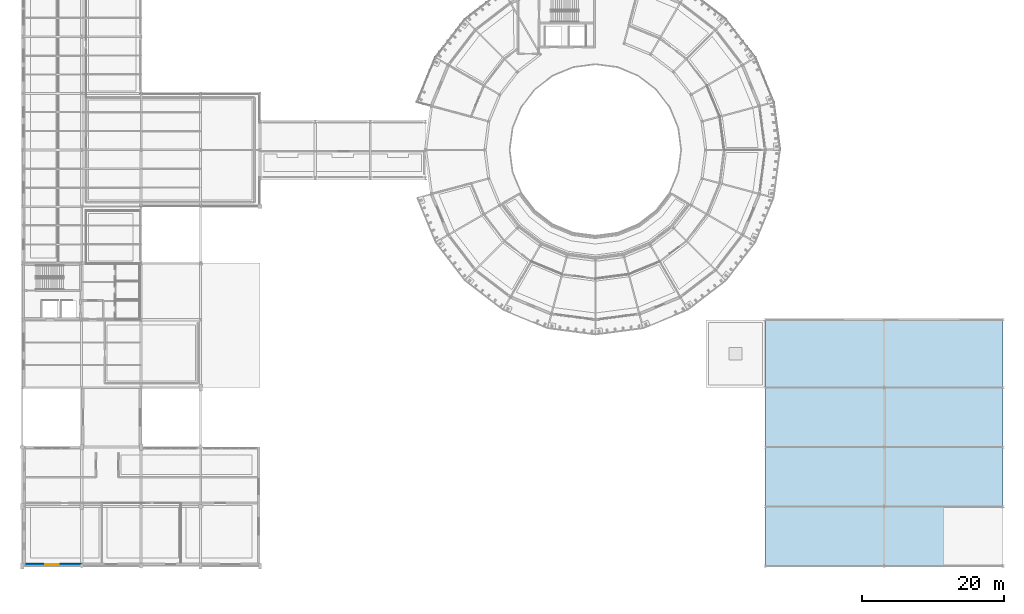
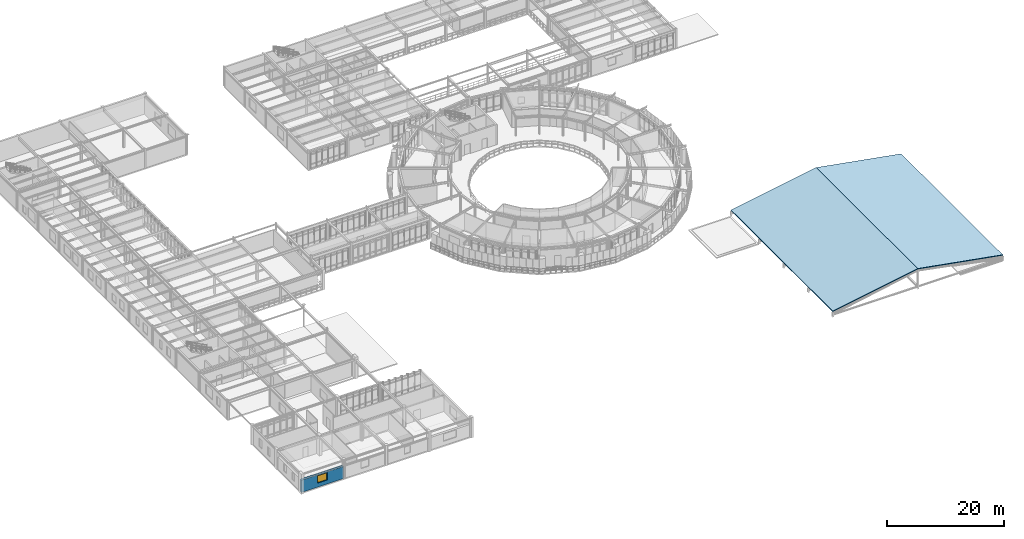
# One storey, part 70 of 90: 2 slabs, 1 wall, 1 window, 1 opening.
"""IFC4 building model written with IfcOpenShell, lengths in metres."""

import ifcopenshell
import ifcopenshell.guid

model = None  # the IFC model being written
_history = None  # IfcOwnerHistory: only IFC2X3 demands one
_inside = {}  # id of a spatial element -> (the spatial element, [elements in it])
_under = {}  # id of a project, library or spatial element -> (it, [spatial elements below it])
_declared = {}  # id of a project -> (the project, [libraries it declares])
_typed = {}  # id of a type object -> (the type object, [elements of that type])
_made_of = {}  # id of a material, layer set ... -> (it, [elements and type objects made of it])


def new_model(schema):
    """Start an empty IFC model of exactly this schema.

    Asked for "IFC4X3", IfcOpenShell would pick the latest addendum, in which some entities
    have other attributes; the version numbers below select the first issue.
    IFC2X3 requires an IfcOwnerHistory on every rooted entity: one is made here for all.
    """
    global model, _history
    if schema == "IFC4X3":
        model = ifcopenshell.file(schema_version=(4, 3, 0, 0))
    else:
        model = ifcopenshell.file(schema=schema)
    _inside.clear()
    _under.clear()
    _declared.clear()
    _typed.clear()
    _made_of.clear()
    _history = None
    if model.schema == "IFC2X3":
        org = make("IfcOrganization", Name="unknown")
        user = make(
            "IfcPersonAndOrganization",
            ThePerson=make("IfcPerson", FamilyName="unknown"),
            TheOrganization=org,
        )
        app = make(
            "IfcApplication",
            ApplicationDeveloper=org,
            Version="unknown",
            ApplicationFullName="unknown",
            ApplicationIdentifier="unknown",
        )
        _history = make(
            "IfcOwnerHistory",
            OwningUser=user,
            OwningApplication=app,
            ChangeAction="ADDED",
            CreationDate=0,
        )
    return model


def make(cls, **values):
    """One entity of the class cls with the attributes given. An attribute that is None is left unset."""
    return model.create_entity(
        cls, **{name: value for name, value in values.items() if value is not None}
    )


def rooted(cls, **values):
    """An entity with a GlobalId (a new one), such as an element, a storey or a relation."""
    return make(cls, GlobalId=ifcopenshell.guid.new(), OwnerHistory=_history, **values)


def si_unit(unit_type, name, prefix=None):
    """IfcSIUnit, for example si_unit("LENGTHUNIT", "METRE", prefix="MILLI")."""
    return make("IfcSIUnit", UnitType=unit_type, Prefix=prefix, Name=name)


def derived_unit(unit_type, elements):
    """IfcDerivedUnit: a product of units, each with its exponent."""
    return make(
        "IfcDerivedUnit",
        Elements=[
            make("IfcDerivedUnitElement", Unit=unit, Exponent=power)
            for unit, power in elements
        ],
        UnitType=unit_type,
    )


def assignment(units):
    """IfcUnitAssignment: the units of a project."""
    return None if units is None else make("IfcUnitAssignment", Units=units)


def point(xyz):
    """IfcCartesianPoint."""
    return None if xyz is None else make("IfcCartesianPoint", Coordinates=xyz)


def direction(xyz):
    """IfcDirection."""
    return None if xyz is None else make("IfcDirection", DirectionRatios=xyz)


def frame(location, z_axis=None, x_axis=None):
    """IfcAxis2Placement3D, a coordinate frame: its origin and axes. An axis left out is left unset."""
    return make(
        "IfcAxis2Placement3D",
        Location=point(location),
        Axis=direction(z_axis),
        RefDirection=direction(x_axis),
    )


def frame_2d(location, x_axis=None):
    """IfcAxis2Placement2D, a coordinate frame in the plane: its origin and x axis."""
    return make(
        "IfcAxis2Placement2D", Location=point(location), RefDirection=direction(x_axis)
    )


def origin():
    """The frame at (0, 0, 0) with its axes left unset."""
    return frame((0.0, 0.0, 0.0))


def place(relative_to, where):
    """IfcLocalPlacement: puts the frame where relative to a parent placement (None: the world)."""
    return make(
        "IfcLocalPlacement", PlacementRelTo=relative_to, RelativePlacement=where
    )


def context(
    kind, dimensions, precision=None, world=None, true_north=None, identifier=None
):
    """IfcGeometricRepresentationContext, for example the 3D "Model" context."""
    return make(
        "IfcGeometricRepresentationContext",
        ContextIdentifier=identifier,
        ContextType=kind,
        CoordinateSpaceDimension=dimensions,
        Precision=precision,
        WorldCoordinateSystem=world,
        TrueNorth=true_north,
    )


def subcontext(parent, identifier, kind, view, scale=None):
    """IfcGeometricRepresentationSubContext, for example "Body" below "Model"."""
    return make(
        "IfcGeometricRepresentationSubContext",
        ContextIdentifier=identifier,
        ContextType=kind,
        ParentContext=parent,
        TargetScale=scale,
        TargetView=view,
    )


def project(units=None, contexts=None):
    """IfcProject with its units and contexts."""
    return rooted(
        "IfcProject",
        Name="project",
        RepresentationContexts=contexts,
        UnitsInContext=assignment(units),
    )


def spatial(cls, under=None, at=None, **own):
    """A site, building, storey or space (cls), placed at a placement, below another one or the project."""
    s = rooted(cls, ObjectPlacement=at, **own)
    if under is not None:
        _under.setdefault(under.id(), (under, []))[1].append(s)
    return s


def point_list(points):
    """IfcCartesianPointList2D or 3D."""
    cls = (
        "IfcCartesianPointList2D" if len(points[0]) == 2 else "IfcCartesianPointList3D"
    )
    return make(cls, CoordList=points)


def profile(cls, at=None, kind="AREA", **sizes):
    """A parametric profile (cls). Its sizes go by their IFC names, for example OverallWidth=200.0."""
    return make(cls, ProfileType=kind, Position=at, **sizes)


def rectangle(**sizes):
    """IfcRectangleProfileDef."""
    return profile("IfcRectangleProfileDef", **sizes)


def extrude(swept, where, along, depth):
    """IfcExtrudedAreaSolid: the profile swept, set in the frame where, extruded along a direction by depth."""
    return make(
        "IfcExtrudedAreaSolid",
        SweptArea=swept,
        Position=where,
        ExtrudedDirection=direction(along),
        Depth=depth,
    )


def polygons(points, faces, closed=None, point_numbers=None):
    """IfcPolygonalFaceSet: a face is its outer loop, then its inner loops; points numbered from 1."""
    made = []
    for loops in faces:
        if len(loops) == 1:
            made.append(make("IfcIndexedPolygonalFace", CoordIndex=loops[0]))
        else:
            made.append(
                make(
                    "IfcIndexedPolygonalFaceWithVoids",
                    CoordIndex=loops[0],
                    InnerCoordIndices=loops[1:],
                )
            )
    return make(
        "IfcPolygonalFaceSet",
        Coordinates=point_list(points),
        Closed=closed,
        Faces=made,
        PnIndex=point_numbers,
    )


def shape(context_of_items, identifier, shape_type, items):
    """IfcShapeRepresentation: the items that make up one representation, for example the "Body"."""
    return make(
        "IfcShapeRepresentation",
        ContextOfItems=context_of_items,
        RepresentationIdentifier=identifier,
        RepresentationType=shape_type,
        Items=items,
    )


def material(Name=None, Category=None):
    """IfcMaterial."""
    return make("IfcMaterial", Name=Name, Category=Category)


def layer(
    of_material, thickness, ventilated=None, Name=None, Category=None, Priority=None
):
    """IfcMaterialLayer: one layer of a wall or slab, of a material (None: an air gap)."""
    return make(
        "IfcMaterialLayer",
        Material=of_material,
        LayerThickness=thickness,
        IsVentilated=ventilated,
        Name=Name,
        Category=Category,
        Priority=Priority,
    )


def layer_set(layers, Name=None):
    """IfcMaterialLayerSet."""
    return make("IfcMaterialLayerSet", MaterialLayers=layers, LayerSetName=Name)


def made_of(thing, what):
    """Note that an element or type object is made of a material, layer set ...; save() writes the relation."""
    if what is not None:
        _made_of.setdefault(what.id(), (what, []))[1].append(thing)
    return thing


def type_object(cls, material=None, **own):
    """A type object (cls), such as IfcWallType, which elements share."""
    return made_of(rooted(cls, **own), material)


def element(
    cls,
    number,
    at=None,
    inside=None,
    cuts=None,
    type_object=None,
    material=None,
    context=None,
    identifier="Body",
    shape_type=None,
    held_by="IfcProductDefinitionShape",
    body=None,
    shapes=None,
    **own,
):
    """One element of the class cls, such as IfcWall. Its Tag is "e" and its number.

    at: its placement. inside: the storey or other place that contains it. cuts: it is an
    opening in that element (IfcRelVoidsElement). A single representation is given by context,
    identifier, shape_type and body (its items); several are given by shapes. held_by: the class
    of the entity that holds the representations. save() writes the other relations.
    """
    e = rooted(cls, Tag="e%d" % number, ObjectPlacement=at, **own)
    if body is not None:
        shapes = [shape(context, identifier, shape_type, body)]
    if shapes is not None:
        e.Representation = make(held_by, Representations=shapes)
    if inside is not None:
        _inside.setdefault(inside.id(), (inside, []))[1].append(e)
    if cuts is not None:
        rooted(
            "IfcRelVoidsElement", RelatingBuildingElement=cuts, RelatedOpeningElement=e
        )
    if type_object is not None:
        _typed.setdefault(type_object.id(), (type_object, []))[1].append(e)
    return made_of(e, material)


def fill(opening, filler):
    """IfcRelFillsElement: the door or window that sits in an opening."""
    return rooted(
        "IfcRelFillsElement",
        RelatingOpeningElement=opening,
        RelatedBuildingElement=filler,
    )


def aggregate(whole, parts):
    """IfcRelAggregates: a whole, such as a stair, and the parts it consists of."""
    return rooted("IfcRelAggregates", RelatingObject=whole, RelatedObjects=parts)


def save(model, path):
    """Write the relations noted so far, then the file.

    IfcRelAggregates (storeys below a building ...), IfcRelContainedInSpatialStructure (elements
    in a storey), IfcRelDefinesByType, IfcRelAssociatesMaterial and IfcRelDeclares: one each for
    every whole, place, type object, material and project.
    """
    for whole, parts in _under.values():
        aggregate(whole, parts)
    for where, things in _inside.values():
        rooted(
            "IfcRelContainedInSpatialStructure",
            RelatedElements=things,
            RelatingStructure=where,
        )
    for kind, things in _typed.values():
        rooted("IfcRelDefinesByType", RelatedObjects=things, RelatingType=kind)
    for what, things in _made_of.values():
        rooted("IfcRelAssociatesMaterial", RelatedObjects=things, RelatingMaterial=what)
    for by, libraries in _declared.values():
        rooted("IfcRelDeclares", RelatingContext=by, RelatedDefinitions=libraries)
    model.write(path)


model = new_model("IFC4")

# Units and contexts
model_context = context("Model", 3, precision=1e-05, world=origin(), true_north=direction((0.0, 1.0)))
body_context = subcontext(model_context, "Body", "Model", "MODEL_VIEW")
ifc_project = project(units=[si_unit("LENGTHUNIT", "METRE"), si_unit("AREAUNIT", "SQUARE_METRE"), si_unit("VOLUMEUNIT", "CUBIC_METRE"), si_unit("PLANEANGLEUNIT", "RADIAN"), si_unit("MASSUNIT", "GRAM", prefix="KILO"), derived_unit("THERMALTRANSMITTANCEUNIT", [(si_unit("POWERUNIT", "WATT"), 1), (si_unit("AREAUNIT", "SQUARE_METRE"), -1), (si_unit("THERMODYNAMICTEMPERATUREUNIT", "KELVIN"), -1)])], contexts=[model_context])

# Site, building, storey
site_placement = place(None, origin())
site = spatial("IfcSite", under=ifc_project, at=site_placement, CompositionType="ELEMENT")
building_placement = place(site_placement, origin())
building = spatial("IfcBuilding", under=site, at=building_placement, Name="Yasenodar Specialist Clinic", CompositionType="ELEMENT")
storey_placement = place(building_placement, frame((0.0, 0.0, 9.0)))
storey = spatial("IfcBuildingStorey", under=building, at=storey_placement, Name="L02", CompositionType="ELEMENT", Elevation=9.0)

# Slabs
ifc_material_1 = material(Name="Concrete C30/37", Category="concrete")
ifc_layer_1 = layer(ifc_material_1, 0.179931640625)
ifc_layer_set_1 = layer_set([ifc_layer_1], Name="Concrete C30/37")
slab_type = type_object("IfcSlabType", Name="SLB-ROOF-180", PredefinedType="ROOF", material=ifc_layer_set_1)
slab_1_placement = place(storey_placement, origin())
element("IfcSlab", 1, at=slab_1_placement, inside=storey, type_object=slab_type, Name="V3 Conservatory West Pitched Roof Slab", PredefinedType="ROOF", context=body_context, shape_type="Tessellation", body=[
    polygons([(105.0, 0.0, 1.179931640625), (121.800048828125, 0.0, 4.179931640625), (121.800048828125, 34.800048828125, 4.179931640625), (105.0, 34.800048828125, 1.179931640625), (105.0, 0.0, 0.9970842800761357), (121.800048828125, 0.0, 3.9970842800761357), (121.800048828125, 34.800048828125, 3.9970842800761357), (105.0, 34.800048828125, 0.9970842800761357)], [[[4, 1, 2]], [[2, 3, 4]], [[6, 5, 8]], [[8, 7, 6]], [[5, 6, 2, 1]], [[6, 7, 3, 2]], [[7, 8, 4, 3]], [[8, 5, 1, 4]]], closed=True),
])
slab_2_placement = place(storey_placement, origin())
element("IfcSlab", 2, at=slab_2_placement, inside=storey, type_object=slab_type, Name="V3 Conservatory East Pitched Roof Slab", PredefinedType="ROOF", context=body_context, shape_type="Tessellation", body=[
    polygons([(121.800048828125, 0.0, 4.179931640625), (138.60009765625, 0.0, 1.179931640625), (138.60009765625, 34.800048828125, 1.179931640625), (121.800048828125, 34.800048828125, 4.179931640625), (121.800048828125, 0.0, 3.9970842800761357), (138.60009765625, 0.0, 0.9970842800761357), (138.60009765625, 34.800048828125, 0.9970842800761357), (121.800048828125, 34.800048828125, 3.9970842800761357)], [[[4, 1, 2]], [[2, 3, 4]], [[6, 5, 8]], [[8, 7, 6]], [[5, 6, 2, 1]], [[6, 7, 3, 2]], [[7, 8, 4, 3]], [[8, 5, 1, 4]]], closed=True),
])

# Wall, opening, window
ifc_material_2 = material(Name="Kapustianske Red Granite Ashlar Rainscreen", Category="masonry")
ifc_layer_2 = layer(ifc_material_2, 0.419921875)
ifc_layer_set_2 = layer_set([ifc_layer_2], Name="Kapustianske Red Granite Ashlar Rainscreen")
wall_type = type_object("IfcWallType", Name="EW-GRAN-420", PredefinedType="SOLIDWALL", material=ifc_layer_set_2)
wall_placement = place(storey_placement, frame((8.39990234375, 0.239990234375, 0.0), z_axis=(0.0, 0.0, 1.0), x_axis=(-1.0, 0.0, 0.0)))
wall = element("IfcWall", 3, at=wall_placement, inside=storey, type_object=wall_type, Name="L02 Exterior Facade Wall 0062", PredefinedType="SOLIDWALL", context=body_context, shape_type="SweptSolid", body=[
    extrude(rectangle(XDim=8.39990234375, YDim=0.419921875, at=frame_2d((4.199951171875, 0.0))), origin(), (0.0, 0.0, 1.0), 2.568115234375),
])
opening_placement = place(wall_placement, frame((3.25, 0.0, 0.85009765625)))
opening = element("IfcOpeningElement", 4, at=opening_placement, cuts=wall, Name="Opening W-17", PredefinedType="OPENING", context=body_context, shape_type="SweptSolid", body=[
    extrude(rectangle(XDim=1.89990234375, YDim=1.5380859375, at=frame_2d((0.949951171875, 0.76904296875))), frame((0.0, 0.219970703125, 0.0), z_axis=(0.0, -1.0, 0.0), x_axis=(1.0, 0.0, 0.0)), (0.0, 0.0, 1.0), 0.43994140625),
])
ifc_material_3 = material(Name="Triple Low-E Argon Glazing in Bronze Aluminium Frame", Category="aluminium")
window_type = type_object("IfcWindowType", Name="WIN-EXT-17", PartitioningType="SINGLE_PANEL", PredefinedType="WINDOW", material=ifc_material_3)
window_placement = place(opening_placement, origin())
window = element("IfcWindow", 5, at=window_placement, inside=storey, type_object=window_type, Name="L02 Triple-Glazed Reveal Window 0044", OverallHeight=1.5380859375, OverallWidth=1.89990234375, PartitioningType="SINGLE_PANEL", PredefinedType="WINDOW", context=body_context, shape_type="SweptSolid", body=[
    extrude(rectangle(XDim=1.89990234375, YDim=1.5380859375, at=frame_2d((0.949951171875, 0.76904296875))), frame((0.0, 0.030029296875, 0.0), z_axis=(0.0, -1.0, 0.0), x_axis=(1.0, 0.0, 0.0)), (0.0, 0.0, 1.0), 0.06005859375),
])
fill(opening, window)

save(model, "model.ifc")
